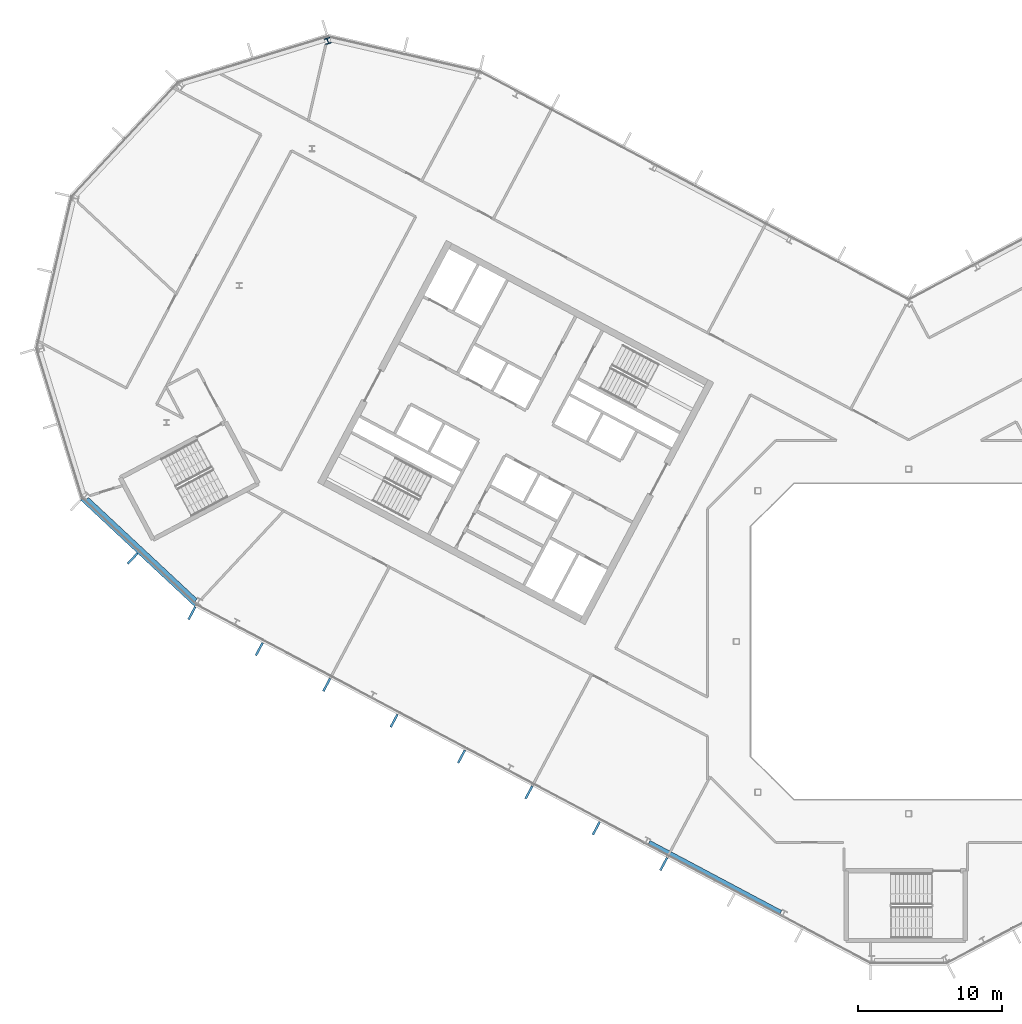
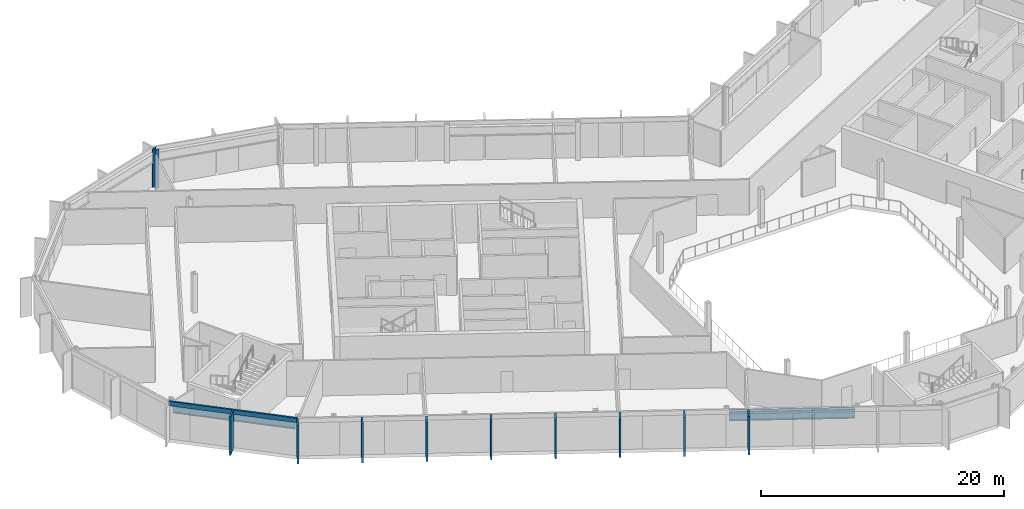
# One storey, part 8 of 26: 10 members, 2 beams, 1 column, 2 elements without a shape of their own.
"""IFC4 building model written with IfcOpenShell, lengths in metres."""

from ifc_helpers import new_model, si_unit, direction, frame, origin, origin_2d, place, context, subcontext, project, spatial, rectangle, i_section, extrude, material, layer, layer_set, material_profile, profile_set, type_object, element, aggregate, save


model = new_model("IFC4")

# Units and contexts
model_context = context("Model", 3, precision=1e-05, world=origin(), true_north=direction((0.0, 1.0)))
body_context = subcontext(model_context, "Body", "Model", "MODEL_VIEW")
ifc_project = project(units=[si_unit("LENGTHUNIT", "METRE"), si_unit("AREAUNIT", "SQUARE_METRE"), si_unit("VOLUMEUNIT", "CUBIC_METRE"), si_unit("PLANEANGLEUNIT", "RADIAN"), si_unit("MASSUNIT", "GRAM", prefix="KILO")], contexts=[model_context])

# Site, building, storey
site_placement = place(None, origin())
site = spatial("IfcSite", under=ifc_project, at=site_placement, CompositionType="ELEMENT")
building_placement = place(site_placement, origin())
building = spatial("IfcBuilding", under=site, at=building_placement, Name="Cormorant Relay Tower", CompositionType="ELEMENT")
storey_placement = place(building_placement, frame((0.0, 0.0, 261.89990234375)))
storey = spatial("IfcBuildingStorey", under=building, at=storey_placement, Name="L58", CompositionType="ELEMENT", Elevation=261.89990234375)

# Column
ifc_material_1 = material(Name="Steel ASTM A992 (Fy 345 MPa)", Category="steel")
ifc_material_profile_1 = material_profile(ifc_material_1, i_section(OverallWidth=0.40380859375, OverallDepth=0.406494140625, WebThickness=0.027099609375, FlangeThickness=0.043701171875, FilletRadius=0.01513671875, at=origin_2d()), Name="W360x347")
ifc_profile_set_1 = profile_set([ifc_material_profile_1], Name="Steel ASTM A992 (Fy 345 MPa)")
column_type = type_object("IfcColumnType", Name="Column W360x347", PredefinedType="COLUMN", material=ifc_profile_set_1)
column_placement = place(storey_placement, frame((-40.455078125, 41.823974609375, 0.0), z_axis=(0.0, 0.0, 1.0), x_axis=(-0.956304755963, -0.292371704723, 0.0)))
element("IfcColumn", 1, at=column_placement, inside=storey, type_object=column_type, Name="Column L58-043", PredefinedType="COLUMN", context=body_context, shape_type="SweptSolid", body=[
    extrude(i_section(OverallWidth=0.40380859375, OverallDepth=0.406494140625, WebThickness=0.027099609375, FlangeThickness=0.043701171875, FilletRadius=0.01513671875, at=origin_2d()), origin(), (0.0, 0.0, 1.0), 3.900146484375),
])

# Curtain wall, member
ifc_material_2 = material(Name="Aluminium 6063-T6 anodised bronze", Category="aluminium")
ifc_layer = layer(ifc_material_2, 0.199951171875)
ifc_layer_set = layer_set([ifc_layer], Name="CW1 unitised bronze curtain wall with vertical fins")
curtain_wall_type = type_object("IfcCurtainWallType", Name="CW1 unitised bronze curtain wall with vertical fins", PredefinedType="NOTDEFINED", material=ifc_layer_set)
curtain_wall_1_placement = place(storey_placement, origin())
curtain_wall_1 = element("IfcCurtainWall", 2, at=curtain_wall_1_placement, inside=storey, type_object=curtain_wall_type, Name="CW1 curtain wall 15", PredefinedType="NOTDEFINED")
ifc_material_3 = material(Name="Aluminium 6063-T6 anodised bronze", Category="aluminium")
ifc_material_profile_2 = material_profile(ifc_material_3, rectangle(XDim=0.14990234375, YDim=1.0, at=origin_2d()), Name="AL 150x1000")
ifc_profile_set_2 = profile_set([ifc_material_profile_2], Name="Aluminium 6063-T6 anodised bronze")
member_type_1 = type_object("IfcMemberType", Name="CW1 bronze fin mullion 150 x 1000", PredefinedType="MULLION", material=ifc_profile_set_2)
member_1_placement = place(storey_placement, frame((-54.0439453125, 5.779296875, 0.0), z_axis=(0.0, 0.0, 1.0), x_axis=(0.731353701619, -0.681998360062, 0.0)))
member_1 = element("IfcMember", 3, at=member_1_placement, type_object=member_type_1, Name="CW1 fin 15.2", PredefinedType="MULLION", context=body_context, shape_type="SweptSolid", body=[
    extrude(rectangle(XDim=0.14990234375, YDim=1.0, at=origin_2d()), origin(), (0.0, 0.0, 1.0), 3.900146484375),
])

# Curtain wall, members
curtain_wall_2_placement = place(storey_placement, origin())
curtain_wall_2 = element("IfcCurtainWall", 4, at=curtain_wall_2_placement, inside=storey, type_object=curtain_wall_type, Name="CW1 curtain wall 16", PredefinedType="NOTDEFINED")
member_2_placement = place(storey_placement, frame((-49.920166015625, 1.96630859375, 0.0), z_axis=(0.0, 0.0, 1.0), x_axis=(0.882947592859, -0.469471562786, 0.0)))
member_2 = element("IfcMember", 5, at=member_2_placement, type_object=member_type_1, Name="CW1 fin 16.1", PredefinedType="MULLION", context=body_context, shape_type="SweptSolid", body=[
    extrude(rectangle(XDim=0.14990234375, YDim=1.0, at=origin_2d()), origin(), (0.0, 0.0, 1.0), 3.900146484375),
])
member_3_placement = place(storey_placement, frame((-45.225830078125, -0.52978515625, 0.0), z_axis=(0.0, 0.0, 1.0), x_axis=(0.882947592859, -0.469471562786, 0.0)))
member_3 = element("IfcMember", 6, at=member_3_placement, type_object=member_type_1, Name="CW1 fin 16.2", PredefinedType="MULLION", context=body_context, shape_type="SweptSolid", body=[
    extrude(rectangle(XDim=0.14990234375, YDim=1.0, at=origin_2d()), origin(), (0.0, 0.0, 1.0), 3.900146484375),
])
member_4_placement = place(storey_placement, frame((-40.531494140625, -3.025634765625, 0.0), z_axis=(0.0, 0.0, 1.0), x_axis=(0.882947592859, -0.469471562786, 0.0)))
member_4 = element("IfcMember", 7, at=member_4_placement, type_object=member_type_1, Name="CW1 fin 16.3", PredefinedType="MULLION", context=body_context, shape_type="SweptSolid", body=[
    extrude(rectangle(XDim=0.14990234375, YDim=1.0, at=origin_2d()), origin(), (0.0, 0.0, 1.0), 3.900146484375),
])
member_5_placement = place(storey_placement, frame((-35.83740234375, -5.521728515625, 0.0), z_axis=(0.0, 0.0, 1.0), x_axis=(0.882947592859, -0.469471562786, 0.0)))
member_5 = element("IfcMember", 8, at=member_5_placement, type_object=member_type_1, Name="CW1 fin 16.4", PredefinedType="MULLION", context=body_context, shape_type="SweptSolid", body=[
    extrude(rectangle(XDim=0.14990234375, YDim=1.0, at=origin_2d()), origin(), (0.0, 0.0, 1.0), 3.900146484375),
])
member_6_placement = place(storey_placement, frame((-31.14306640625, -8.017578125, 0.0), z_axis=(0.0, 0.0, 1.0), x_axis=(0.882947592859, -0.469471562786, 0.0)))
member_6 = element("IfcMember", 9, at=member_6_placement, type_object=member_type_1, Name="CW1 fin 16.5", PredefinedType="MULLION", context=body_context, shape_type="SweptSolid", body=[
    extrude(rectangle(XDim=0.14990234375, YDim=1.0, at=origin_2d()), origin(), (0.0, 0.0, 1.0), 3.900146484375),
])
member_7_placement = place(storey_placement, frame((-26.44873046875, -10.513671875, 0.0), z_axis=(0.0, 0.0, 1.0), x_axis=(0.882947592859, -0.469471562786, 0.0)))
member_7 = element("IfcMember", 10, at=member_7_placement, type_object=member_type_1, Name="CW1 fin 16.6", PredefinedType="MULLION", context=body_context, shape_type="SweptSolid", body=[
    extrude(rectangle(XDim=0.14990234375, YDim=1.0, at=origin_2d()), origin(), (0.0, 0.0, 1.0), 3.900146484375),
])
member_8_placement = place(storey_placement, frame((-21.754638671875, -13.009765625, 0.0), z_axis=(0.0, 0.0, 1.0), x_axis=(0.882947592859, -0.469471562786, 0.0)))
member_8 = element("IfcMember", 11, at=member_8_placement, type_object=member_type_1, Name="CW1 fin 16.7", PredefinedType="MULLION", context=body_context, shape_type="SweptSolid", body=[
    extrude(rectangle(XDim=0.14990234375, YDim=1.0, at=origin_2d()), origin(), (0.0, 0.0, 1.0), 3.900146484375),
])
member_9_placement = place(storey_placement, frame((-17.060302734375, -15.505615234375, 0.0), z_axis=(0.0, 0.0, 1.0), x_axis=(0.882947592859, -0.469471562786, 0.0)))
member_9 = element("IfcMember", 12, at=member_9_placement, type_object=member_type_1, Name="CW1 fin 16.8", PredefinedType="MULLION", context=body_context, shape_type="SweptSolid", body=[
    extrude(rectangle(XDim=0.14990234375, YDim=1.0, at=origin_2d()), origin(), (0.0, 0.0, 1.0), 3.900146484375),
])
aggregate(curtain_wall_2, [member_2, member_3, member_4, member_5, member_6, member_7, member_8, member_9])

# Member
ifc_material_4 = material(Name="Aluminium 6063-T6 anodised bronze", Category="aluminium")
ifc_material_profile_3 = material_profile(ifc_material_4, rectangle(XDim=0.159912109375, YDim=0.449951171875, at=origin_2d()), Name="AL 160x450")
ifc_profile_set_3 = profile_set([ifc_material_profile_3], Name="Aluminium 6063-T6 anodised bronze")
member_type_2 = type_object("IfcMemberType", Name="CW1 bronze transom 160 x 450", PredefinedType="USERDEFINED", material=ifc_profile_set_3)
member_10_placement = place(storey_placement, frame((-57.62353515625, 9.91015625, 3.675048828125), z_axis=(0.731358420696, -0.681993299437, 0.0), x_axis=(0.681993299437, 0.731358420696, 0.0)))
member_10 = element("IfcMember", 13, at=member_10_placement, type_object=member_type_2, Name="CW1 transom 15", ObjectType="TRANSOM", PredefinedType="USERDEFINED", context=body_context, shape_type="SweptSolid", body=[
    extrude(rectangle(XDim=0.159912109375, YDim=0.449951171875, at=origin_2d()), origin(), (0.0, 0.0, 1.0), 10.870361328125),
])

aggregate(curtain_wall_1, [member_1, member_10])

# Beams
ifc_material_5 = material(Name="Steel ASTM A992 (Fy 345 MPa)", Category="steel")
ifc_material_profile_4 = material_profile(ifc_material_5, i_section(OverallWidth=0.307373046875, OverallDepth=0.927001953125, WebThickness=0.019287109375, FlangeThickness=0.031982421875, FilletRadius=0.01904296875, at=origin_2d()), Name="W920x289")
ifc_profile_set_4 = profile_set([ifc_material_profile_4], Name="Steel ASTM A992 (Fy 345 MPa)")
beam_type = type_object("IfcBeamType", Name="Spandrel W920x289", PredefinedType="SPANDREL", material=ifc_profile_set_4)
beam_1_placement = place(storey_placement, frame((-57.234619140625, 9.921630859375, 3.076416015625), z_axis=(0.731364191518, -0.681987110849, 0.0), x_axis=(0.681987110849, 0.731364191518, 0.0)))
element("IfcBeam", 14, at=beam_1_placement, inside=storey, type_object=beam_type, Name="Spandrel beam L58-015", PredefinedType="SPANDREL", context=body_context, shape_type="SweptSolid", body=[
    extrude(i_section(OverallWidth=0.307373046875, OverallDepth=0.927001953125, WebThickness=0.019287109375, FlangeThickness=0.031982421875, FilletRadius=0.01904296875, at=origin_2d()), origin(), (0.0, 0.0, 1.0), 10.37841796875),
])
beam_2_placement = place(storey_placement, frame((-18.0869140625, -13.992919921875, 3.076416015625), z_axis=(0.882946088703, -0.469474391681, 0.0), x_axis=(0.469474391681, 0.882946088703, 0.0)))
element("IfcBeam", 15, at=beam_2_placement, inside=storey, type_object=beam_type, Name="Spandrel beam L58-016", PredefinedType="SPANDREL", context=body_context, shape_type="SweptSolid", body=[
    extrude(i_section(OverallWidth=0.307373046875, OverallDepth=0.927001953125, WebThickness=0.019287109375, FlangeThickness=0.031982421875, FilletRadius=0.01904296875, at=origin_2d()), origin(), (0.0, 0.0, 1.0), 10.401611328125),
])

save(model, "model.ifc")
